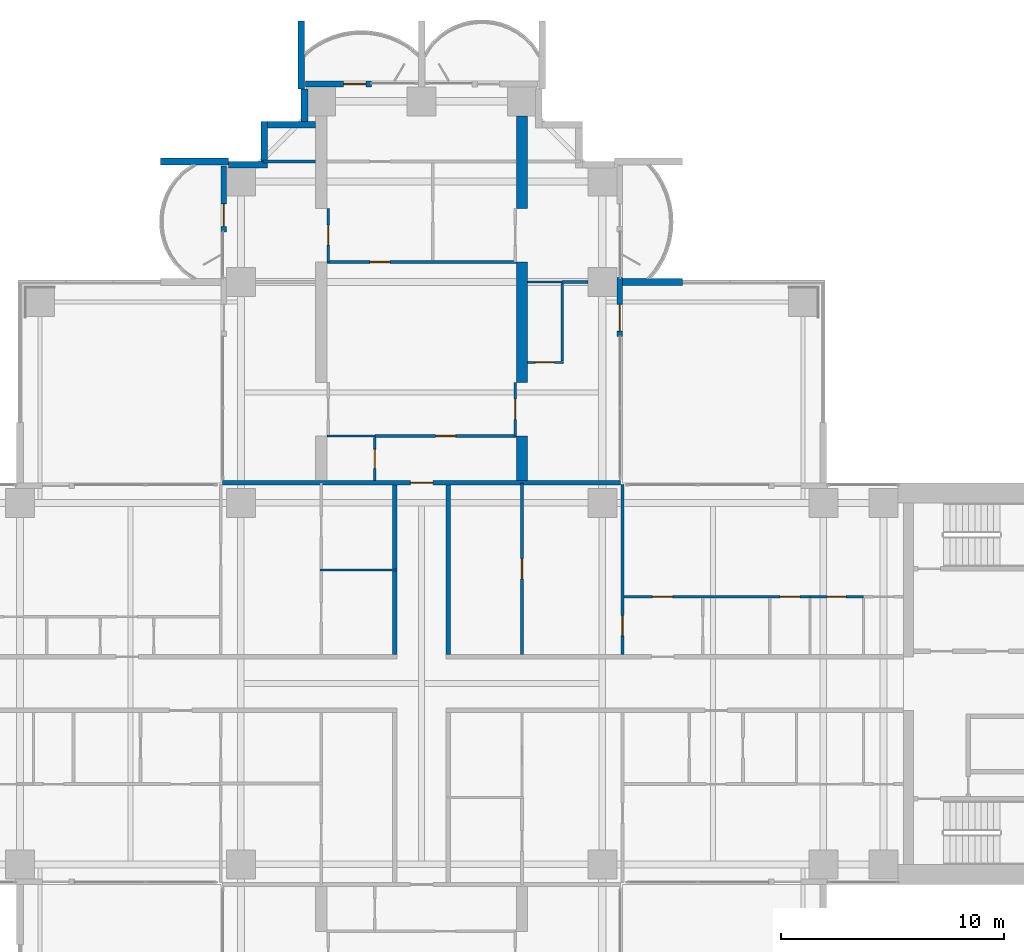
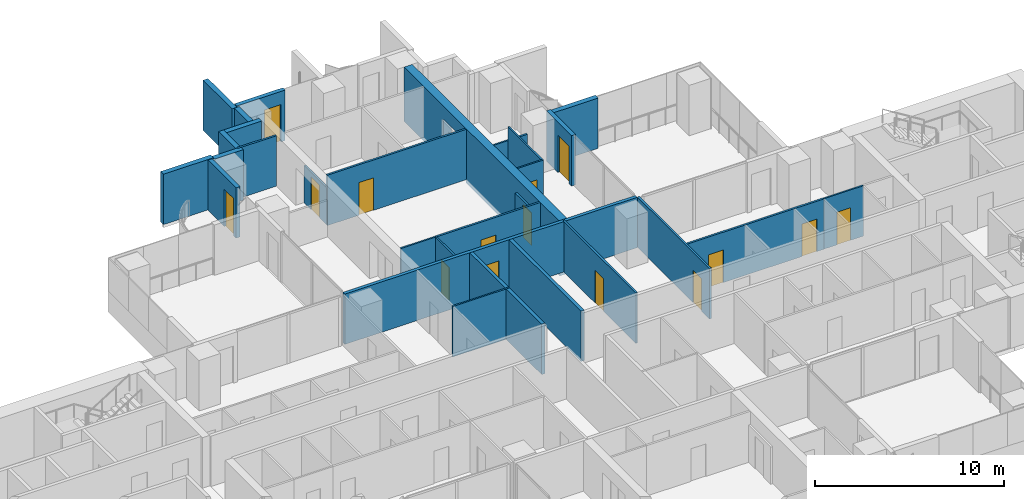
# One storey, part 14 of 21: 30 walls, 15 doors, 15 openings.
"""IFC4 building model written with IfcOpenShell, lengths in metres."""

from ifc_helpers import new_model, si_unit, direction, frame, frame_2d, origin, place, context, subcontext, project, spatial, polyline, rectangle, outline, extrude, material, layer, layer_set, material_profile, profile_set, type_object, element, fill, save


model = new_model("IFC4")

# Units and contexts
model_context = context("Model", 3, precision=1e-05, world=origin(), true_north=direction((0.0, 1.0)))
body_context = subcontext(model_context, "Body", "Model", "MODEL_VIEW")
ifc_project = project(units=[si_unit("LENGTHUNIT", "METRE"), si_unit("AREAUNIT", "SQUARE_METRE"), si_unit("VOLUMEUNIT", "CUBIC_METRE"), si_unit("PLANEANGLEUNIT", "RADIAN"), si_unit("MASSUNIT", "GRAM", prefix="KILO")], contexts=[model_context])

# Site, building, storey
site_placement = place(None, origin())
site = spatial("IfcSite", under=ifc_project, at=site_placement, CompositionType="ELEMENT")
building_placement = place(site_placement, origin())
building = spatial("IfcBuilding", under=site, at=building_placement, Name="Perihelion Cross Residences", CompositionType="ELEMENT")
storey_placement = place(building_placement, frame((0.0, 0.0, 54.0)))
storey = spatial("IfcBuildingStorey", under=building, at=storey_placement, Name="L10", CompositionType="ELEMENT", Elevation=54.0)

# Walls
ifc_material_1 = material(Name="Plasterboard partition")
ifc_layer_1 = layer(ifc_material_1, 0.199951171875)
ifc_layer_set_1 = layer_set([ifc_layer_1], Name="Apartment separation wall 200")
wall_type_1 = type_object("IfcWallType", Name="Apartment separation wall 200", PredefinedType="PARTITIONING", material=ifc_layer_set_1)
for number, where, z_axis, x_axis, name in (
    (1, (1.199951171875, 8.89990234375, 0.0), (0.0, 0.0, 1.0), (0.0, -1.0, 0.0), "Partition L10 W002"),
    (2, (-1.199951171875, 1.300048828125, 0.0), (0.0, 0.0, 1.0), (0.0, 1.0, 0.0), "Partition L10 W006"),
):
    element("IfcWall", number, at=place(storey_placement, frame(where, z_axis=z_axis, x_axis=x_axis)), inside=storey, type_object=wall_type_1, Name=name, PredefinedType="PARTITIONING", context=body_context, shape_type="SweptSolid", body=[
        extrude(rectangle(XDim=7.599853515625, YDim=0.199951171875, at=frame_2d((3.7998046875, 0.0))), origin(), (0.0, 0.0, 1.0), 3.25),
    ])

# Wall, opening, door
wall_1_placement = place(storey_placement, frame((-8.919921875, 9.0, 0.0), z_axis=(0.0, 0.0, 1.0), x_axis=(1.0, 0.0, 0.0)))
wall_1 = element("IfcWall", 3, at=wall_1_placement, inside=storey, type_object=wall_type_1, Name="Partition L10 W009", PredefinedType="PARTITIONING", context=body_context, shape_type="SweptSolid", body=[
    extrude(rectangle(XDim=17.83984375, YDim=0.199951171875, at=frame_2d((8.919921875, 0.0))), origin(), (0.0, 0.0, 1.0), 3.25),
])
opening_1_placement = place(wall_1_placement, frame((8.419921875, 0.0, 0.0)))
opening_1 = element("IfcOpeningElement", 4, at=opening_1_placement, cuts=wall_1, Name="Opening L10.A32", PredefinedType="OPENING", context=body_context, shape_type="SweptSolid", body=[
    extrude(rectangle(XDim=1.0, YDim=2.10009765625, at=frame_2d((0.5, 1.050048828125))), frame((0.0, 0.10986328125, 0.0), z_axis=(0.0, -1.0, 0.0), x_axis=(1.0, 0.0, 0.0)), (0.0, 0.0, 1.0), 0.219970703125),
])
ifc_material_2 = material(Name="Timber door leaf", Category="wood")
door_type_1 = type_object("IfcDoorType", Name="Flat entrance door 1000 x 2100", OperationType="SINGLE_SWING_LEFT", PredefinedType="DOOR", material=ifc_material_2)
door_1_placement = place(opening_1_placement, origin())
door_1 = element("IfcDoor", 5, at=door_1_placement, inside=storey, type_object=door_type_1, Name="Door L10.A32", OperationType="SINGLE_SWING_RIGHT", OverallHeight=2.10009765625, OverallWidth=1.0, PredefinedType="DOOR", context=body_context, shape_type="SweptSolid", body=[
    extrude(rectangle(XDim=1.0, YDim=2.10009765625, at=frame_2d((0.5, 1.050048828125))), frame((0.0, 0.02490234375, 0.0), z_axis=(0.0, -1.0, 0.0), x_axis=(1.0, 0.0, 0.0)), (0.0, 0.0, 1.0), 0.050048828125),
])
fill(opening_1, door_1)

ifc_material_3 = material(Name="Concrete C30/37, bronze-clad", Category="concrete")
ifc_layer_2 = layer(ifc_material_3, 0.25)
ifc_layer_set_2 = layer_set([ifc_layer_2], Name="Bronze-clad pier wall 250")
wall_type_2 = type_object("IfcWallType", Name="Bronze-clad pier wall 250", PredefinedType="SOLIDWALL", material=ifc_layer_set_2)
wall_2_placement = place(storey_placement, frame((8.875, 15.550048828125, 0.0), z_axis=(0.0, 0.0, 1.0), x_axis=(0.0, 1.0, 0.0)))
wall_2 = element("IfcWall", 6, at=wall_2_placement, inside=storey, type_object=wall_type_2, Name="Wall FW1 L10 north side east bay 1 pier", PredefinedType="SOLIDWALL", context=body_context, shape_type="SweptSolid", body=[
    extrude(rectangle(XDim=2.64990234375, YDim=0.25, at=frame_2d((1.324951171875, 0.0))), origin(), (0.0, 0.0, 1.0), 3.25),
])
opening_2_placement = place(wall_2_placement, frame((0.25, 0.0, 0.0)))
opening_2 = element("IfcOpeningElement", 7, at=opening_2_placement, cuts=wall_2, Name="Opening L10.E02", PredefinedType="OPENING", context=body_context, shape_type="SweptSolid", body=[
    extrude(rectangle(XDim=1.199951171875, YDim=2.39990234375, at=frame_2d((0.60009765625, 1.199951171875))), frame((0.0, 0.135009765625, 0.0), z_axis=(0.0, -1.0, 0.0), x_axis=(1.0, 0.0, 0.0)), (0.0, 0.0, 1.0), 0.27001953125),
])
ifc_material_4 = material(Name="Bronze anodised aluminium, glazed", Category="aluminium")
door_type_2 = type_object("IfcDoorType", Name="Balcony door 1200 x 2400", OperationType="NOTDEFINED", PredefinedType="DOOR", material=ifc_material_4)
door_2_placement = place(opening_2_placement, origin())
door_2 = element("IfcDoor", 8, at=door_2_placement, inside=storey, type_object=door_type_2, Name="Door L10.E02 north side east bay 1", OperationType="SINGLE_SWING_LEFT", OverallHeight=2.39990234375, OverallWidth=1.199951171875, PredefinedType="DOOR", context=body_context, shape_type="SweptSolid", body=[
    extrude(rectangle(XDim=1.199951171875, YDim=2.39990234375, at=frame_2d((0.60009765625, 1.199951171875))), frame((0.0, 0.02490234375, 0.0), z_axis=(0.0, -1.0, 0.0), x_axis=(1.0, 0.0, 0.0)), (0.0, 0.0, 1.0), 0.050048828125),
])
fill(opening_2, door_2)

wall_3_placement = place(storey_placement, frame((-2.25, 26.875, 0.0), z_axis=(0.0, 0.0, 1.0), x_axis=(-1.0, 0.0, 0.0)))
wall_3 = element("IfcWall", 9, at=wall_3_placement, inside=storey, type_object=wall_type_2, Name="Wall FW1 L10 north tip north bay 2 pier", PredefinedType="SOLIDWALL", context=body_context, shape_type="SweptSolid", body=[
    extrude(rectangle(XDim=2.949951171875, YDim=0.25, at=frame_2d((1.47509765625, 0.0))), origin(), (0.0, 0.0, 1.0), 3.25),
])
opening_3_placement = place(wall_3_placement, frame((0.25, 0.0, 0.0)))
opening_3 = element("IfcOpeningElement", 10, at=opening_3_placement, cuts=wall_3, Name="Opening L10.E05", PredefinedType="OPENING", context=body_context, shape_type="SweptSolid", body=[
    extrude(rectangle(XDim=1.0, YDim=2.39990234375, at=frame_2d((0.5, 1.199951171875))), frame((0.0, 0.135009765625, 0.0), z_axis=(0.0, -1.0, 0.0), x_axis=(1.0, 0.0, 0.0)), (0.0, 0.0, 1.0), 0.27001953125),
])
ifc_material_5 = material(Name="Bronze anodised aluminium, glazed", Category="aluminium")
door_type_3 = type_object("IfcDoorType", Name="Balcony door 1000 x 2400", OperationType="NOTDEFINED", PredefinedType="DOOR", material=ifc_material_5)
door_3_placement = place(opening_3_placement, origin())
door_3 = element("IfcDoor", 11, at=door_3_placement, inside=storey, type_object=door_type_3, Name="Door L10.E05 north tip north bay 2", OperationType="SINGLE_SWING_RIGHT", OverallHeight=2.39990234375, OverallWidth=1.0, PredefinedType="DOOR", context=body_context, shape_type="SweptSolid", body=[
    extrude(rectangle(XDim=1.0, YDim=2.39990234375, at=frame_2d((0.5, 1.199951171875))), frame((0.0, 0.02490234375, 0.0), z_axis=(0.0, -1.0, 0.0), x_axis=(1.0, 0.0, 0.0)), (0.0, 0.0, 1.0), 0.050048828125),
])
fill(opening_3, door_3)

wall_4_placement = place(storey_placement, frame((-8.875, 23.199951171875, 0.0), z_axis=(0.0, 0.0, 1.0), x_axis=(0.0, -1.0, 0.0)))
wall_4 = element("IfcWall", 12, at=wall_4_placement, inside=storey, type_object=wall_type_2, Name="Wall FW1 L10 north side west bay 1 pier", PredefinedType="SOLIDWALL", context=body_context, shape_type="SweptSolid", body=[
    extrude(rectangle(XDim=2.949951171875, YDim=0.25, at=frame_2d((1.47509765625, 0.0))), origin(), (0.0, 0.0, 1.0), 3.25),
])
opening_4_placement = place(wall_4_placement, frame((1.699951171875, 0.0, 0.0)))
opening_4 = element("IfcOpeningElement", 13, at=opening_4_placement, cuts=wall_4, Name="Opening L10.E06", PredefinedType="OPENING", context=body_context, shape_type="SweptSolid", body=[
    extrude(rectangle(XDim=1.0, YDim=2.39990234375, at=frame_2d((0.5, 1.199951171875))), frame((0.0, 0.135009765625, 0.0), z_axis=(0.0, -1.0, 0.0), x_axis=(1.0, 0.0, 0.0)), (0.0, 0.0, 1.0), 0.27001953125),
])
door_4_placement = place(opening_4_placement, origin())
door_4 = element("IfcDoor", 14, at=door_4_placement, inside=storey, type_object=door_type_3, Name="Door L10.E06 north side west bay 1", OperationType="SINGLE_SWING_LEFT", OverallHeight=2.39990234375, OverallWidth=1.0, PredefinedType="DOOR", context=body_context, shape_type="SweptSolid", body=[
    extrude(rectangle(XDim=1.0, YDim=2.39990234375, at=frame_2d((0.5, 1.199951171875))), frame((0.0, 0.02490234375, 0.0), z_axis=(0.0, -1.0, 0.0), x_axis=(1.0, 0.0, 0.0)), (0.0, 0.0, 1.0), 0.050048828125),
])
fill(opening_4, door_4)

# Walls
ifc_material_6 = material(Name="Concrete C30/37, bronze-clad", Category="concrete")
ifc_layer_3 = layer(ifc_material_6, 0.300048828125)
ifc_layer_set_3 = layer_set([ifc_layer_3], Name="Bronze-clad serration wall 300")
wall_type_3 = type_object("IfcWallType", Name="Bronze-clad serration wall 300", PredefinedType="SOLIDWALL", material=ifc_layer_set_3)
wall_5_placement = place(storey_placement, frame((-5.25, 26.64990234375, 0.0), z_axis=(0.0, 0.0, 1.0), x_axis=(0.0, -1.0, 0.0)))
element("IfcWall", 15, at=wall_5_placement, inside=storey, type_object=wall_type_3, Name="Wall SR1 L10 north corner north-west 1", PredefinedType="SOLIDWALL", context=body_context, shape_type="SweptSolid", body=[
    extrude(rectangle(XDim=1.449951171875, YDim=0.300048828125, at=frame_2d((0.72509765625, 0.0))), origin(), (0.0, 0.0, 1.0), 3.25),
])
wall_6_placement = place(storey_placement, frame((-4.75, 25.050048828125, 0.0), z_axis=(0.0, 0.0, 1.0), x_axis=(-1.0, 0.0, 0.0)))
element("IfcWall", 16, at=wall_6_placement, inside=storey, type_object=wall_type_3, Name="Wall SR1 L10 north corner north-west 2", PredefinedType="SOLIDWALL", context=body_context, shape_type="SweptSolid", body=[
    extrude(rectangle(XDim=2.14990234375, YDim=0.300048828125, at=frame_2d((1.074951171875, 0.0))), origin(), (0.0, 0.0, 1.0), 3.25),
])
wall_7_placement = place(storey_placement, frame((-7.050048828125, 25.199951171875, 0.0), z_axis=(0.0, 0.0, 1.0), x_axis=(0.0, -1.0, 0.0)))
element("IfcWall", 17, at=wall_7_placement, inside=storey, type_object=wall_type_3, Name="Wall SR1 L10 north corner north-west 3", PredefinedType="SOLIDWALL", context=body_context, shape_type="SweptSolid", body=[
    extrude(rectangle(XDim=1.800048828125, YDim=0.300048828125, at=frame_2d((0.89990234375, 0.0))), origin(), (0.0, 0.0, 1.0), 3.25),
])
wall_8_placement = place(storey_placement, frame((-6.89990234375, 23.25, 0.0), z_axis=(0.0, 0.0, 1.0), x_axis=(-1.0, 0.0, 0.0)))
element("IfcWall", 18, at=wall_8_placement, inside=storey, type_object=wall_type_3, Name="Wall SR1 L10 north corner north-west 4", PredefinedType="SOLIDWALL", context=body_context, shape_type="SweptSolid", body=[
    extrude(rectangle(XDim=1.75, YDim=0.300048828125, at=frame_2d((0.875, 0.0))), origin(), (0.0, 0.0, 1.0), 3.25),
])

# Wall, opening, door
ifc_material_7 = material(Name="Plasterboard partition")
ifc_layer_4 = layer(ifc_material_7, 0.1201171875)
ifc_layer_set_4 = layer_set([ifc_layer_4], Name="Infill panel 120")
wall_type_4 = type_object("IfcWallType", Name="Infill panel 120", PredefinedType="PARTITIONING", material=ifc_layer_set_4)
wall_9_placement = place(storey_placement, frame((4.18994140625, 11.10009765625, 0.0), z_axis=(0.0, 0.0, 1.0), x_axis=(0.0, 1.0, 0.0)))
wall_9 = element("IfcWall", 19, at=wall_9_placement, inside=storey, type_object=wall_type_4, Name="Partition L10 WI01", PredefinedType="PARTITIONING", context=body_context, shape_type="SweptSolid", body=[
    extrude(rectangle(XDim=2.39990234375, YDim=0.1201171875, at=frame_2d((1.199951171875, 0.0))), origin(), (0.0, 0.0, 1.0), 2.39990234375),
])
opening_5_placement = place(wall_9_placement, frame((0.75, 0.0, 0.0)))
opening_5 = element("IfcOpeningElement", 20, at=opening_5_placement, cuts=wall_9, Name="Opening L10.A51", PredefinedType="OPENING", context=body_context, shape_type="SweptSolid", body=[
    extrude(rectangle(XDim=0.89990234375, YDim=2.10009765625, at=frame_2d((0.449951171875, 1.050048828125))), frame((0.0, 0.070068359375, 0.0), z_axis=(0.0, -1.0, 0.0), x_axis=(1.0, 0.0, 0.0)), (0.0, 0.0, 1.0), 0.14013671875),
])
ifc_material_8 = material(Name="Timber door leaf", Category="wood")
door_type_4 = type_object("IfcDoorType", Name="Interior room door 900 x 2100", OperationType="SINGLE_SWING_LEFT", PredefinedType="DOOR", material=ifc_material_8)
door_5_placement = place(opening_5_placement, origin())
door_5 = element("IfcDoor", 21, at=door_5_placement, inside=storey, type_object=door_type_4, Name="Door L10.A51", OperationType="SINGLE_SWING_LEFT", OverallHeight=2.10009765625, OverallWidth=0.89990234375, PredefinedType="DOOR", context=body_context, shape_type="SweptSolid", body=[
    extrude(rectangle(XDim=0.89990234375, YDim=2.10009765625, at=frame_2d((0.449951171875, 1.050048828125))), frame((0.0, 0.02490234375, 0.0), z_axis=(0.0, -1.0, 0.0), x_axis=(1.0, 0.0, 0.0)), (0.0, 0.0, 1.0), 0.050048828125),
])
fill(opening_5, door_5)

wall_10_placement = place(storey_placement, frame((-4.18994140625, 18.89990234375, 0.0), z_axis=(0.0, 0.0, 1.0), x_axis=(0.0, 1.0, 0.0)))
wall_10 = element("IfcWall", 22, at=wall_10_placement, inside=storey, type_object=wall_type_4, Name="Partition L10 WI04", PredefinedType="PARTITIONING", context=body_context, shape_type="SweptSolid", body=[
    extrude(rectangle(XDim=2.400146484375, YDim=0.1201171875, at=frame_2d((1.2001953125, 0.0))), origin(), (0.0, 0.0, 1.0), 2.39990234375),
])
opening_6_placement = place(wall_10_placement, frame((0.75, 0.0, 0.0)))
opening_6 = element("IfcOpeningElement", 23, at=opening_6_placement, cuts=wall_10, Name="Opening L10.A54", PredefinedType="OPENING", context=body_context, shape_type="SweptSolid", body=[
    extrude(rectangle(XDim=0.89990234375, YDim=2.10009765625, at=frame_2d((0.449951171875, 1.050048828125))), frame((0.0, 0.070068359375, 0.0), z_axis=(0.0, -1.0, 0.0), x_axis=(1.0, 0.0, 0.0)), (0.0, 0.0, 1.0), 0.14013671875),
])
door_6_placement = place(opening_6_placement, origin())
door_6 = element("IfcDoor", 24, at=door_6_placement, inside=storey, type_object=door_type_4, Name="Door L10.A54", OperationType="SINGLE_SWING_LEFT", OverallHeight=2.10009765625, OverallWidth=0.89990234375, PredefinedType="DOOR", context=body_context, shape_type="SweptSolid", body=[
    extrude(rectangle(XDim=0.89990234375, YDim=2.10009765625, at=frame_2d((0.449951171875, 1.050048828125))), frame((0.0, 0.02490234375, 0.0), z_axis=(0.0, -1.0, 0.0), x_axis=(1.0, 0.0, 0.0)), (0.0, 0.0, 1.0), 0.050048828125),
])
fill(opening_6, door_6)

# Wall, openings, doors
ifc_material_9 = material(Name="Plasterboard partition")
ifc_layer_5 = layer(ifc_material_9, 0.1201171875)
ifc_layer_set_5 = layer_set([ifc_layer_5], Name="Partition wall 120")
wall_type_5 = type_object("IfcWallType", Name="Partition wall 120", PredefinedType="PARTITIONING", material=ifc_layer_set_5)
wall_11_placement = place(storey_placement, frame((8.93994140625, 3.89990234375, 0.0), z_axis=(0.0, 0.0, 1.0), x_axis=(1.0, 0.0, 0.0)))
wall_11 = element("IfcWall", 25, at=wall_11_placement, inside=storey, type_object=wall_type_5, Name="Partition L10 W012", PredefinedType="PARTITIONING", context=body_context, shape_type="SweptSolid", body=[
    extrude(rectangle(XDim=8.4599609375, YDim=0.1201171875, at=frame_2d((4.22998046875, 0.0))), origin(), (0.0, 0.0, 1.0), 3.25),
])
opening_7_placement = place(wall_11_placement, frame((7.110107421875, 0.0, 0.0)))
opening_7 = element("IfcOpeningElement", 26, at=opening_7_placement, cuts=wall_11, Name="Opening L10.A05", PredefinedType="OPENING", context=body_context, shape_type="SweptSolid", body=[
    extrude(rectangle(XDim=0.89990234375, YDim=2.10009765625, at=frame_2d((0.449951171875, 1.050048828125))), frame((0.0, 0.070068359375, 0.0), z_axis=(0.0, -1.0, 0.0), x_axis=(1.0, 0.0, 0.0)), (0.0, 0.0, 1.0), 0.14013671875),
])
opening_8_placement = place(wall_11_placement, frame((1.409912109375, 0.0, 0.0)))
opening_8 = element("IfcOpeningElement", 27, at=opening_8_placement, cuts=wall_11, Name="Opening L10.A06", PredefinedType="OPENING", context=body_context, shape_type="SweptSolid", body=[
    extrude(rectangle(XDim=0.89990234375, YDim=2.10009765625, at=frame_2d((0.449951171875, 1.050048828125))), frame((0.0, 0.070068359375, 0.0), z_axis=(0.0, -1.0, 0.0), x_axis=(1.0, 0.0, 0.0)), (0.0, 0.0, 1.0), 0.14013671875),
])
door_7_placement = place(opening_7_placement, origin())
door_7 = element("IfcDoor", 28, at=door_7_placement, inside=storey, type_object=door_type_4, Name="Door L10.A05", OperationType="SINGLE_SWING_RIGHT", OverallHeight=2.10009765625, OverallWidth=0.89990234375, PredefinedType="DOOR", context=body_context, shape_type="SweptSolid", body=[
    extrude(rectangle(XDim=0.89990234375, YDim=2.10009765625, at=frame_2d((0.449951171875, 1.050048828125))), frame((0.0, 0.02490234375, 0.0), z_axis=(0.0, -1.0, 0.0), x_axis=(1.0, 0.0, 0.0)), (0.0, 0.0, 1.0), 0.050048828125),
])
fill(opening_7, door_7)
door_8_placement = place(opening_8_placement, origin())
door_8 = element("IfcDoor", 29, at=door_8_placement, inside=storey, type_object=door_type_4, Name="Door L10.A06", OperationType="SINGLE_SWING_LEFT", OverallHeight=2.10009765625, OverallWidth=0.89990234375, PredefinedType="DOOR", context=body_context, shape_type="SweptSolid", body=[
    extrude(rectangle(XDim=0.89990234375, YDim=2.10009765625, at=frame_2d((0.449951171875, 1.050048828125))), frame((0.0, 0.02490234375, 0.0), z_axis=(0.0, -1.0, 0.0), x_axis=(1.0, 0.0, 0.0)), (0.0, 0.0, 1.0), 0.050048828125),
])
fill(opening_8, door_8)

# Wall, opening, door
wall_12_placement = place(storey_placement, frame((9.0, 1.300048828125, 0.0), z_axis=(0.0, 0.0, 1.0), x_axis=(0.0, 1.0, 0.0)))
wall_12 = element("IfcWall", 30, at=wall_12_placement, inside=storey, type_object=wall_type_5, Name="Partition L10 W013", PredefinedType="PARTITIONING", context=body_context, shape_type="SweptSolid", body=[
    extrude(rectangle(XDim=7.619873046875, YDim=0.1201171875, at=frame_2d((3.81005859375, 0.0))), origin(), (0.0, 0.0, 1.0), 3.25),
])
opening_9_placement = place(wall_12_placement, frame((0.85009765625, 0.0, 0.0)))
opening_9 = element("IfcOpeningElement", 31, at=opening_9_placement, cuts=wall_12, Name="Opening L10.A07", PredefinedType="OPENING", context=body_context, shape_type="SweptSolid", body=[
    extrude(rectangle(XDim=0.89990234375, YDim=2.10009765625, at=frame_2d((0.449951171875, 1.050048828125))), frame((0.0, 0.070068359375, 0.0), z_axis=(0.0, -1.0, 0.0), x_axis=(1.0, 0.0, 0.0)), (0.0, 0.0, 1.0), 0.14013671875),
])
door_9_placement = place(opening_9_placement, origin())
door_9 = element("IfcDoor", 32, at=door_9_placement, inside=storey, type_object=door_type_4, Name="Door L10.A07", OperationType="SINGLE_SWING_LEFT", OverallHeight=2.10009765625, OverallWidth=0.89990234375, PredefinedType="DOOR", context=body_context, shape_type="SweptSolid", body=[
    extrude(rectangle(XDim=0.89990234375, YDim=2.10009765625, at=frame_2d((0.449951171875, 1.050048828125))), frame((0.0, 0.02490234375, 0.0), z_axis=(0.0, -1.0, 0.0), x_axis=(1.0, 0.0, 0.0)), (0.0, 0.0, 1.0), 0.050048828125),
])
fill(opening_9, door_9)

wall_13_placement = place(storey_placement, frame((4.5, 1.300048828125, 0.0), z_axis=(0.0, 0.0, 1.0), x_axis=(0.0, 1.0, 0.0)))
wall_13 = element("IfcWall", 33, at=wall_13_placement, inside=storey, type_object=wall_type_5, Name="Partition L10 W019", PredefinedType="PARTITIONING", context=body_context, shape_type="SweptSolid", body=[
    extrude(rectangle(XDim=7.699951171875, YDim=0.1201171875, at=frame_2d((3.85009765625, 0.0))), origin(), (0.0, 0.0, 1.0), 3.25),
])
opening_10_placement = place(wall_13_placement, frame((3.39990234375, 0.0, 0.0)))
opening_10 = element("IfcOpeningElement", 34, at=opening_10_placement, cuts=wall_13, Name="Opening L10.A02", PredefinedType="OPENING", context=body_context, shape_type="SweptSolid", body=[
    extrude(rectangle(XDim=0.89990234375, YDim=2.10009765625, at=frame_2d((0.449951171875, 1.050048828125))), frame((0.0, 0.070068359375, 0.0), z_axis=(0.0, -1.0, 0.0), x_axis=(1.0, 0.0, 0.0)), (0.0, 0.0, 1.0), 0.14013671875),
])
door_10_placement = place(opening_10_placement, origin())
door_10 = element("IfcDoor", 35, at=door_10_placement, inside=storey, type_object=door_type_4, Name="Door L10.A02", OperationType="SINGLE_SWING_LEFT", OverallHeight=2.10009765625, OverallWidth=0.89990234375, PredefinedType="DOOR", context=body_context, shape_type="SweptSolid", body=[
    extrude(rectangle(XDim=0.89990234375, YDim=2.10009765625, at=frame_2d((0.449951171875, 1.050048828125))), frame((0.0, 0.02490234375, 0.0), z_axis=(0.0, -1.0, 0.0), x_axis=(1.0, 0.0, 0.0)), (0.0, 0.0, 1.0), 0.050048828125),
])
fill(opening_10, door_10)

wall_14_placement = place(storey_placement, frame((-2.10009765625, 11.10009765625, 0.0), z_axis=(0.0, 0.0, 1.0), x_axis=(1.0, 0.0, 0.0)))
wall_14 = element("IfcWall", 36, at=wall_14_placement, inside=storey, type_object=wall_type_5, Name="Partition L10 W054", PredefinedType="PARTITIONING", context=body_context, shape_type="SweptSolid", body=[
    extrude(rectangle(XDim=6.35009765625, YDim=0.1201171875, at=frame_2d((3.175048828125, 0.0))), origin(), (0.0, 0.0, 1.0), 3.25),
])
opening_11_placement = place(wall_14_placement, frame((2.72509765625, 0.0, 0.0)))
opening_11 = element("IfcOpeningElement", 37, at=opening_11_placement, cuts=wall_14, Name="Opening L10.A34", PredefinedType="OPENING", context=body_context, shape_type="SweptSolid", body=[
    extrude(rectangle(XDim=0.89990234375, YDim=2.10009765625, at=frame_2d((0.449951171875, 1.050048828125))), frame((0.0, 0.070068359375, 0.0), z_axis=(0.0, -1.0, 0.0), x_axis=(1.0, 0.0, 0.0)), (0.0, 0.0, 1.0), 0.14013671875),
])
door_11_placement = place(opening_11_placement, origin())
door_11 = element("IfcDoor", 38, at=door_11_placement, inside=storey, type_object=door_type_4, Name="Door L10.A34", OperationType="SINGLE_SWING_RIGHT", OverallHeight=2.10009765625, OverallWidth=0.89990234375, PredefinedType="DOOR", context=body_context, shape_type="SweptSolid", body=[
    extrude(rectangle(XDim=0.89990234375, YDim=2.10009765625, at=frame_2d((0.449951171875, 1.050048828125))), frame((0.0, 0.02490234375, 0.0), z_axis=(0.0, -1.0, 0.0), x_axis=(1.0, 0.0, 0.0)), (0.0, 0.0, 1.0), 0.050048828125),
])
fill(opening_11, door_11)

wall_15_placement = place(storey_placement, frame((-4.25, 18.89990234375, 0.0), z_axis=(0.0, 0.0, 1.0), x_axis=(1.0, 0.0, 0.0)))
wall_15 = element("IfcWall", 39, at=wall_15_placement, inside=storey, type_object=wall_type_5, Name="Partition L10 W056", PredefinedType="PARTITIONING", context=body_context, shape_type="SweptSolid", body=[
    extrude(rectangle(XDim=8.5, YDim=0.1201171875, at=frame_2d((4.25, 0.0))), origin(), (0.0, 0.0, 1.0), 3.25),
])
opening_12_placement = place(wall_15_placement, frame((1.925048828125, 0.0, 0.0)))
opening_12 = element("IfcOpeningElement", 40, at=opening_12_placement, cuts=wall_15, Name="Opening L10.A35", PredefinedType="OPENING", context=body_context, shape_type="SweptSolid", body=[
    extrude(rectangle(XDim=0.89990234375, YDim=2.10009765625, at=frame_2d((0.449951171875, 1.050048828125))), frame((0.0, 0.070068359375, 0.0), z_axis=(0.0, -1.0, 0.0), x_axis=(1.0, 0.0, 0.0)), (0.0, 0.0, 1.0), 0.14013671875),
])
door_12_placement = place(opening_12_placement, origin())
door_12 = element("IfcDoor", 41, at=door_12_placement, inside=storey, type_object=door_type_4, Name="Door L10.A35", OperationType="SINGLE_SWING_RIGHT", OverallHeight=2.10009765625, OverallWidth=0.89990234375, PredefinedType="DOOR", context=body_context, shape_type="SweptSolid", body=[
    extrude(rectangle(XDim=0.89990234375, YDim=2.10009765625, at=frame_2d((0.449951171875, 1.050048828125))), frame((0.0, 0.02490234375, 0.0), z_axis=(0.0, -1.0, 0.0), x_axis=(1.0, 0.0, 0.0)), (0.0, 0.0, 1.0), 0.050048828125),
])
fill(opening_12, door_12)

# Walls
wall_16_placement = place(storey_placement, frame((6.300048828125, 18.0, 0.0), z_axis=(0.0, 0.0, 1.0), x_axis=(1.0, 0.0, 0.0)))
element("IfcWall", 42, at=wall_16_placement, inside=storey, type_object=wall_type_5, Name="Partition L10 W061", PredefinedType="PARTITIONING", context=body_context, shape_type="SweptSolid", body=[
    extrude(rectangle(XDim=1.14990234375, YDim=0.1201171875, at=frame_2d((0.574951171875, 0.0))), origin(), (0.0, 0.0, 1.0), 2.345947265625),
])
wall_17_placement = place(storey_placement, frame((-7.1201171875, 23.39990234375, 0.0), z_axis=(0.0, 0.0, 1.0), x_axis=(1.0, 0.0, 0.0)))
element("IfcWall", 43, at=wall_17_placement, inside=storey, type_object=wall_type_5, Name="Partition L10 W065", PredefinedType="PARTITIONING", context=body_context, shape_type="SweptSolid", body=[
    extrude(rectangle(XDim=2.3701171875, YDim=0.1201171875, at=frame_2d((1.18505859375, 0.0))), origin(), (0.0, 0.0, 1.0), 3.25),
])
ifc_material_10 = material(Name="Precast concrete C50/60", Category="concrete")
ifc_layer_6 = layer(ifc_material_10, 0.300048828125)
ifc_layer_set_6 = layer_set([ifc_layer_6], Name="Precast concrete C50/60 blade wall 300")
wall_type_6 = type_object("IfcWallType", Name="Precast concrete C50/60 blade wall 300", PredefinedType="SOLIDWALL", material=ifc_layer_set_6)
for number, where, z_axis, x_axis, name in (
    (44, (-8.64990234375, 23.39990234375, 0.0), (0.0, 0.0, 1.0), (-1.0, 0.0, 0.0), "Wall BL1 L10 no. 8"),
    (45, (-5.39990234375, 26.64990234375, 0.0), (0.0, 0.0, 1.0), (0.0, 1.0, 0.0), "Wall BL1 L10 no. 4"),
):
    element("IfcWall", number, at=place(storey_placement, frame(where, z_axis=z_axis, x_axis=x_axis)), inside=storey, type_object=wall_type_6, Name=name, PredefinedType="SOLIDWALL", context=body_context, shape_type="SweptSolid", body=[
        extrude(rectangle(XDim=3.050048828125, YDim=0.300048828125, at=frame_2d((1.52490234375, 0.0))), origin(), (0.0, 0.0, 1.0), 3.25),
    ])
wall_18_placement = place(storey_placement, frame((8.75, 18.0, 0.0), z_axis=(0.0, 0.0, 1.0), x_axis=(1.0, 0.0, 0.0)))
element("IfcWall", 46, at=wall_18_placement, inside=storey, type_object=wall_type_6, Name="Wall BL1 L10 no. 17", PredefinedType="SOLIDWALL", context=body_context, shape_type="SweptSolid", body=[
    extrude(rectangle(XDim=2.949951171875, YDim=0.300048828125, at=frame_2d((1.47509765625, 0.0))), origin(), (0.0, 0.0, 1.0), 3.25),
])
ifc_material_11 = material(Name="Concrete C60/75", Category="concrete")
ifc_material_profile = material_profile(ifc_material_11, outline(polyline([(0.0, 0.0), (2.10009765625, 0.0), (2.10009765625, 2.64990234375), (4.5, 2.64990234375), (4.5, 0.0), (9.89990234375, 0.0), (9.89990234375, 2.64990234375), (12.300048828125, 2.64990234375), (12.300048828125, 0.0), (16.449951171875, 0.0), (16.449951171875, 3.5), (0.0, 3.5), (0.0, 0.0)])), Name="Tip spine wall")
ifc_profile_set = profile_set([ifc_material_profile], Name="Concrete C60/75")
wall_type_7 = type_object("IfcWallType", Name="Tip spine wall 500 with 2 door openings 16450 long 3500 high concrete C60/75 hand B", PredefinedType="SHEAR", material=ifc_profile_set)
wall_19_placement = place(storey_placement, frame((4.25, 9.0, -0.25), z_axis=(1.0, 0.0, 0.0), x_axis=(0.0, 1.0, 0.0)))
element("IfcWall", 47, at=wall_19_placement, inside=storey, type_object=wall_type_7, Name="Shear wall SW23 L10 north east", PredefinedType="SHEAR", context=body_context, shape_type="SweptSolid", body=[
    extrude(outline(polyline([(0.0, 0.0), (2.10009765625, 0.0), (2.10009765625, 2.64990234375), (4.5, 2.64990234375), (4.5, 0.0), (9.89990234375, 0.0), (9.89990234375, 2.64990234375), (12.300048828125, 2.64990234375), (12.300048828125, 0.0), (16.449951171875, 0.0), (16.449951171875, 3.5), (0.0, 3.5), (0.0, 0.0)])), origin(), (0.0, 0.0, 1.0), 0.5),
])

# Wall, opening, door
ifc_material_12 = material(Name="Plasterboard partition")
ifc_layer_7 = layer(ifc_material_12, 0.10009765625)
ifc_layer_set_7 = layer_set([ifc_layer_7], Name="Wet room wall 100")
wall_type_8 = type_object("IfcWallType", Name="Wet room wall 100", PredefinedType="PARTITIONING", material=ifc_layer_set_7)
wall_20_placement = place(storey_placement, frame((17.39990234375, 3.89990234375, 0.0), z_axis=(0.0, 0.0, 1.0), x_axis=(1.0, 0.0, 0.0)))
wall_20 = element("IfcWall", 48, at=wall_20_placement, inside=storey, type_object=wall_type_8, Name="Partition L10 W017", PredefinedType="PARTITIONING", context=body_context, shape_type="SweptSolid", body=[
    extrude(rectangle(XDim=2.400146484375, YDim=0.10009765625, at=frame_2d((1.2001953125, 0.0))), origin(), (0.0, 0.0, 1.0), 3.25),
])
opening_13_placement = place(wall_20_placement, frame((0.77490234375, 0.0, 0.0)))
opening_13 = element("IfcOpeningElement", 49, at=opening_13_placement, cuts=wall_20, Name="Opening L10.A01", PredefinedType="OPENING", context=body_context, shape_type="SweptSolid", body=[
    extrude(rectangle(XDim=0.85009765625, YDim=2.10009765625, at=frame_2d((0.425048828125, 1.050048828125))), frame((0.0, 0.06005859375, 0.0), z_axis=(0.0, -1.0, 0.0), x_axis=(1.0, 0.0, 0.0)), (0.0, 0.0, 1.0), 0.1201171875),
])
ifc_material_13 = material(Name="Timber door leaf", Category="wood")
door_type_5 = type_object("IfcDoorType", Name="Interior bathroom door 850 x 2100", OperationType="SINGLE_SWING_LEFT", PredefinedType="DOOR", material=ifc_material_13)
door_13_placement = place(opening_13_placement, origin())
door_13 = element("IfcDoor", 50, at=door_13_placement, inside=storey, type_object=door_type_5, Name="Door L10.A01", OperationType="SINGLE_SWING_LEFT", OverallHeight=2.10009765625, OverallWidth=0.85009765625, PredefinedType="DOOR", context=body_context, shape_type="SweptSolid", body=[
    extrude(rectangle(XDim=0.85009765625, YDim=2.10009765625, at=frame_2d((0.425048828125, 1.050048828125))), frame((0.0, 0.02490234375, 0.0), z_axis=(0.0, -1.0, 0.0), x_axis=(1.0, 0.0, 0.0)), (0.0, 0.0, 1.0), 0.050048828125),
])
fill(opening_13, door_13)

# Wall
wall_21_placement = place(storey_placement, frame((-4.56005859375, 5.10009765625, 0.0), z_axis=(0.0, 0.0, 1.0), x_axis=(1.0, 0.0, 0.0)))
element("IfcWall", 51, at=wall_21_placement, inside=storey, type_object=wall_type_8, Name="Partition L10 W041", PredefinedType="PARTITIONING", context=body_context, shape_type="SweptSolid", body=[
    extrude(rectangle(XDim=3.4599609375, YDim=0.10009765625, at=frame_2d((1.72998046875, 0.0))), origin(), (0.0, 0.0, 1.0), 3.25),
])

# Wall, opening, door
wall_22_placement = place(storey_placement, frame((-2.10009765625, 9.10009765625, 0.0), z_axis=(0.0, 0.0, 1.0), x_axis=(0.0, 1.0, 0.0)))
wall_22 = element("IfcWall", 52, at=wall_22_placement, inside=storey, type_object=wall_type_8, Name="Partition L10 W053", PredefinedType="PARTITIONING", context=body_context, shape_type="SweptSolid", body=[
    extrude(rectangle(XDim=1.93994140625, YDim=0.10009765625, at=frame_2d((0.969970703125, 0.0))), origin(), (0.0, 0.0, 1.0), 3.25),
])
opening_14_placement = place(wall_22_placement, frame((0.544921875, 0.0, 0.0)))
opening_14 = element("IfcOpeningElement", 53, at=opening_14_placement, cuts=wall_22, Name="Opening L10.A33", PredefinedType="OPENING", context=body_context, shape_type="SweptSolid", body=[
    extrude(rectangle(XDim=0.85009765625, YDim=2.10009765625, at=frame_2d((0.425048828125, 1.050048828125))), frame((0.0, 0.06005859375, 0.0), z_axis=(0.0, -1.0, 0.0), x_axis=(1.0, 0.0, 0.0)), (0.0, 0.0, 1.0), 0.1201171875),
])
door_14_placement = place(opening_14_placement, origin())
door_14 = element("IfcDoor", 54, at=door_14_placement, inside=storey, type_object=door_type_5, Name="Door L10.A33", OperationType="SINGLE_SWING_LEFT", OverallHeight=2.10009765625, OverallWidth=0.85009765625, PredefinedType="DOOR", context=body_context, shape_type="SweptSolid", body=[
    extrude(rectangle(XDim=0.85009765625, YDim=2.10009765625, at=frame_2d((0.425048828125, 1.050048828125))), frame((0.0, 0.02490234375, 0.0), z_axis=(0.0, -1.0, 0.0), x_axis=(1.0, 0.0, 0.0)), (0.0, 0.0, 1.0), 0.050048828125),
])
fill(opening_14, door_14)

# Wall
wall_23_placement = place(storey_placement, frame((-4.25, 11.10009765625, 0.0), z_axis=(0.0, 0.0, 1.0), x_axis=(1.0, 0.0, 0.0)))
element("IfcWall", 55, at=wall_23_placement, inside=storey, type_object=wall_type_8, Name="Partition L10 W055", PredefinedType="PARTITIONING", context=body_context, shape_type="SweptSolid", body=[
    extrude(rectangle(XDim=2.14990234375, YDim=0.10009765625, at=frame_2d((1.074951171875, 0.0))), origin(), (0.0, 0.0, 1.0), 3.25),
])

# Wall, opening, door
wall_24_placement = place(storey_placement, frame((4.75, 14.39990234375, 0.0), z_axis=(0.0, 0.0, 1.0), x_axis=(1.0, 0.0, 0.0)))
wall_24 = element("IfcWall", 56, at=wall_24_placement, inside=storey, type_object=wall_type_8, Name="Partition L10 W059", PredefinedType="PARTITIONING", context=body_context, shape_type="SweptSolid", body=[
    extrude(rectangle(XDim=1.60009765625, YDim=0.10009765625, at=frame_2d((0.800048828125, 0.0))), origin(), (0.0, 0.0, 1.0), 3.25),
])
opening_15_placement = place(wall_24_placement, frame((0.35009765625, 0.0, 0.0)))
opening_15 = element("IfcOpeningElement", 57, at=opening_15_placement, cuts=wall_24, Name="Opening L10.A38", PredefinedType="OPENING", context=body_context, shape_type="SweptSolid", body=[
    extrude(rectangle(XDim=0.85009765625, YDim=2.10009765625, at=frame_2d((0.425048828125, 1.050048828125))), frame((0.0, 0.06005859375, 0.0), z_axis=(0.0, -1.0, 0.0), x_axis=(1.0, 0.0, 0.0)), (0.0, 0.0, 1.0), 0.1201171875),
])
door_15_placement = place(opening_15_placement, origin())
door_15 = element("IfcDoor", 58, at=door_15_placement, inside=storey, type_object=door_type_5, Name="Door L10.A38", OperationType="SINGLE_SWING_RIGHT", OverallHeight=2.10009765625, OverallWidth=0.85009765625, PredefinedType="DOOR", context=body_context, shape_type="SweptSolid", body=[
    extrude(rectangle(XDim=0.85009765625, YDim=2.10009765625, at=frame_2d((0.425048828125, 1.050048828125))), frame((0.0, 0.02490234375, 0.0), z_axis=(0.0, -1.0, 0.0), x_axis=(1.0, 0.0, 0.0)), (0.0, 0.0, 1.0), 0.050048828125),
])
fill(opening_15, door_15)

# Walls
wall_25_placement = place(storey_placement, frame((6.300048828125, 14.449951171875, 0.0), z_axis=(0.0, 0.0, 1.0), x_axis=(0.0, 1.0, 0.0)))
element("IfcWall", 59, at=wall_25_placement, inside=storey, type_object=wall_type_8, Name="Partition L10 W060", PredefinedType="PARTITIONING", context=body_context, shape_type="SweptSolid", body=[
    extrude(rectangle(XDim=3.489990234375, YDim=0.10009765625, at=frame_2d((1.7451171875, 0.0))), origin(), (0.0, 0.0, 1.0), 3.25),
])
wall_26_placement = place(storey_placement, frame((4.75, 18.0, 0.0), z_axis=(0.0, 0.0, 1.0), x_axis=(1.0, 0.0, 0.0)))
element("IfcWall", 60, at=wall_26_placement, inside=storey, type_object=wall_type_8, Name="Partition L10 W062", PredefinedType="PARTITIONING", context=body_context, shape_type="SweptSolid", body=[
    extrude(rectangle(XDim=1.550048828125, YDim=0.10009765625, at=frame_2d((0.77490234375, 0.0))), origin(), (0.0, 0.0, 1.0), 2.345947265625),
])

save(model, "model.ifc")
